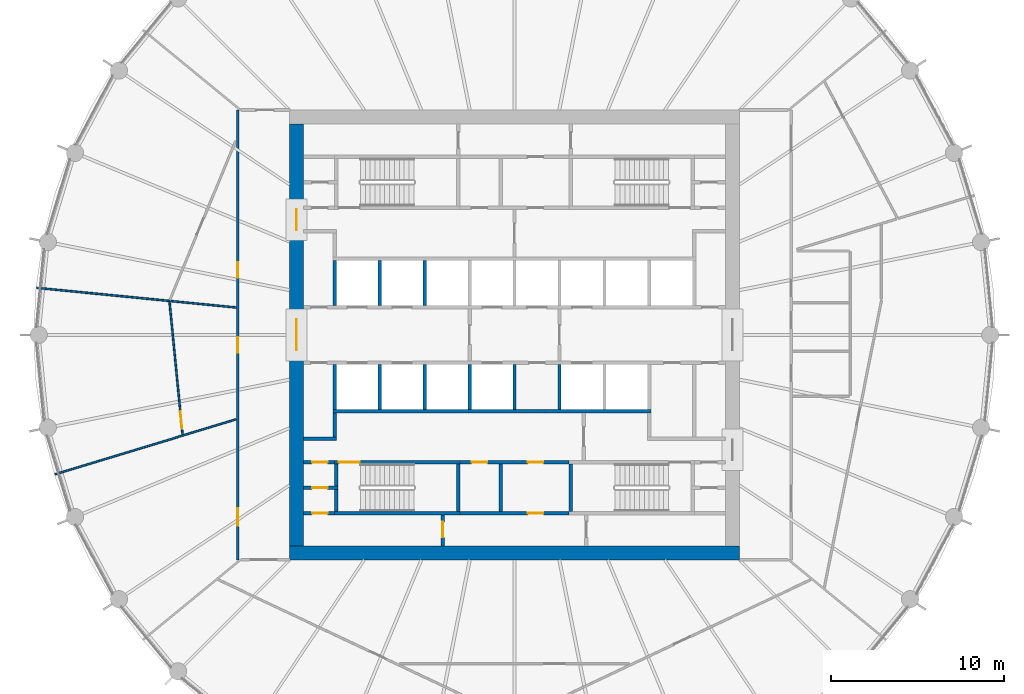
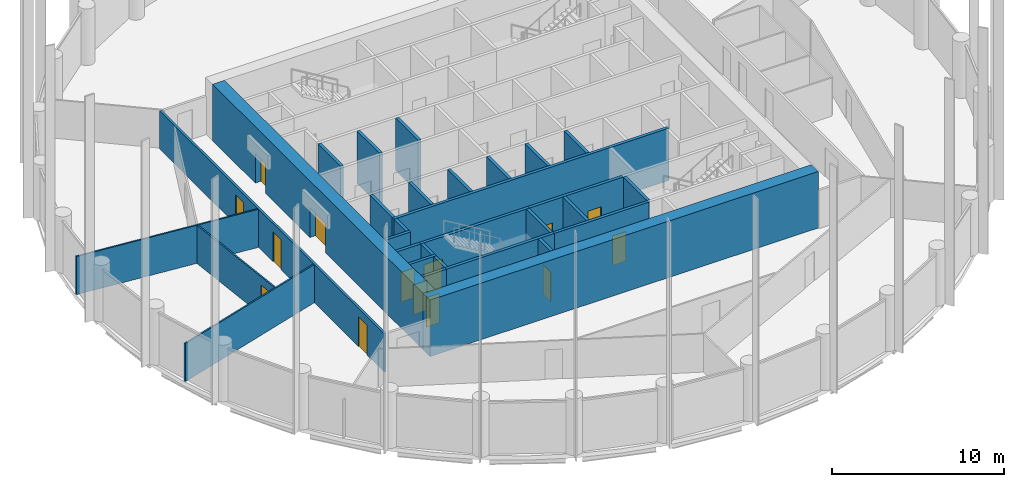
# One storey, part 4 of 9: 31 walls, 14 doors, 14 openings.
"""IFC4 building model written with IfcOpenShell, lengths in metres."""

from ifc_helpers import new_model, si_unit, direction, frame, frame_2d, origin, place, context, subcontext, project, spatial, polyline, rectangle, outline, extrude, material, layer, layer_set, type_object, element, fill, save


model = new_model("IFC4")

# Units and contexts
model_context = context("Model", 3, precision=1e-05, world=origin(), true_north=direction((0.0, 1.0)))
body_context = subcontext(model_context, "Body", "Model", "MODEL_VIEW")
ifc_project = project(units=[si_unit("LENGTHUNIT", "METRE"), si_unit("AREAUNIT", "SQUARE_METRE"), si_unit("VOLUMEUNIT", "CUBIC_METRE"), si_unit("PLANEANGLEUNIT", "RADIAN"), si_unit("MASSUNIT", "GRAM", prefix="KILO")], contexts=[model_context])

# Site, building, storey
site_placement = place(None, origin())
site = spatial("IfcSite", under=ifc_project, at=site_placement, CompositionType="ELEMENT")
building_placement = place(site_placement, origin())
building = spatial("IfcBuilding", under=site, at=building_placement, Name="Corvane Civic Tower", CompositionType="ELEMENT")
storey_placement = place(building_placement, frame((0.0, 0.0, 217.5)))
storey = spatial("IfcBuildingStorey", under=building, at=storey_placement, Name="L51", CompositionType="ELEMENT", Elevation=217.5)

# Wall
ifc_material_1 = material(Name="Concrete C50/60", Category="concrete")
ifc_layer_1 = layer(ifc_material_1, 0.800048828125)
ifc_layer_set_1 = layer_set([ifc_layer_1], Name="Concrete C50/60")
wall_type_1 = type_object("IfcWallType", Name="CORE WALL 800 C50/60", PredefinedType="SHEAR", material=ifc_layer_set_1)
wall_1_placement = place(storey_placement, frame((-13.0, -12.60009765625, 0.0), z_axis=(0.0, 0.0, 1.0), x_axis=(1.0, 0.0, 0.0)))
element("IfcWall", 1, at=wall_1_placement, inside=storey, type_object=wall_type_1, Name="W-L51-core-S", PredefinedType="SHEAR", context=body_context, shape_type="SweptSolid", body=[
    extrude(rectangle(XDim=26.0, YDim=0.800048828125, at=frame_2d((13.0, 0.0))), origin(), (0.0, 0.0, 1.0), 4.0),
])

# Wall, openings, doors
wall_2_placement = place(storey_placement, frame((-12.60009765625, -12.199951171875, 0.0), z_axis=(0.0, 0.0, 1.0), x_axis=(0.0, 1.0, 0.0)))
wall_2 = element("IfcWall", 2, at=wall_2_placement, inside=storey, type_object=wall_type_1, Name="W-L51-core-W", PredefinedType="SHEAR", context=body_context, shape_type="SweptSolid", body=[
    extrude(rectangle(XDim=24.39990234375, YDim=0.800048828125, at=frame_2d((12.199951171875, 0.0))), origin(), (0.0, 0.0, 1.0), 4.0),
])
opening_1_placement = place(wall_2_placement, frame((11.300048828125, 0.0, 0.0)))
opening_1 = element("IfcOpeningElement", 3, at=opening_1_placement, cuts=wall_2, Name="Opening L51.C34", PredefinedType="OPENING", context=body_context, shape_type="SweptSolid", body=[
    extrude(rectangle(XDim=1.800048828125, YDim=2.10009765625, at=frame_2d((0.89990234375, 1.050048828125))), frame((0.0, 0.409912109375, 0.0), z_axis=(0.0, -1.0, 0.0), x_axis=(1.0, 0.0, 0.0)), (0.0, 0.0, 1.0), 0.820068359375),
])
opening_2_placement = place(wall_2_placement, frame((18.25, 0.0, 0.0)))
opening_2 = element("IfcOpeningElement", 4, at=opening_2_placement, cuts=wall_2, Name="Opening L51.C36", PredefinedType="OPENING", context=body_context, shape_type="SweptSolid", body=[
    extrude(rectangle(XDim=1.199951171875, YDim=2.10009765625, at=frame_2d((0.60009765625, 1.050048828125))), frame((0.0, 0.409912109375, 0.0), z_axis=(0.0, -1.0, 0.0), x_axis=(1.0, 0.0, 0.0)), (0.0, 0.0, 1.0), 0.820068359375),
])
ifc_material_2 = material(Name="Steel fire door leaf", Category="steel")
door_type_1 = type_object("IfcDoorType", Name="CR-DOOR-CORE-1800", OperationType="DOUBLE_DOOR_SINGLE_SWING", PredefinedType="DOOR", material=ifc_material_2)
door_1_placement = place(opening_1_placement, origin())
door_1 = element("IfcDoor", 5, at=door_1_placement, inside=storey, type_object=door_type_1, Name="L51 door", OperationType="DOUBLE_DOOR_SINGLE_SWING", OverallHeight=2.10009765625, OverallWidth=1.800048828125, PredefinedType="DOOR", context=body_context, shape_type="SweptSolid", body=[
    extrude(rectangle(XDim=1.800048828125, YDim=2.10009765625, at=frame_2d((0.89990234375, 1.050048828125))), frame((0.0, 0.02490234375, 0.0), z_axis=(0.0, -1.0, 0.0), x_axis=(1.0, 0.0, 0.0)), (0.0, 0.0, 1.0), 0.050048828125),
])
fill(opening_1, door_1)
door_2_placement = place(opening_2_placement, origin())
door_2 = element("IfcDoor", 6, at=door_2_placement, inside=storey, type_object=door_type_1, Name="L51 door", OperationType="DOUBLE_DOOR_SINGLE_SWING", OverallHeight=2.10009765625, OverallWidth=1.199951171875, PredefinedType="DOOR", context=body_context, shape_type="SweptSolid", body=[
    extrude(rectangle(XDim=1.199951171875, YDim=2.10009765625, at=frame_2d((0.60009765625, 1.050048828125))), frame((0.0, 0.02490234375, 0.0), z_axis=(0.0, -1.0, 0.0), x_axis=(1.0, 0.0, 0.0)), (0.0, 0.0, 1.0), 0.050048828125),
])
fill(opening_2, door_2)

# Wall, opening, door
ifc_material_3 = material(Name="Concrete C30/37", Category="concrete")
ifc_layer_2 = layer(ifc_material_3, 0.199951171875)
ifc_layer_set_2 = layer_set([ifc_layer_2], Name="Concrete C30/37")
wall_type_2 = type_object("IfcWallType", Name="CR-WALL-200", PredefinedType="PARTITIONING", material=ifc_layer_set_2)
wall_3_placement = place(storey_placement, frame((-12.199951171875, -10.300048828125, 0.0), z_axis=(0.0, 0.0, 1.0), x_axis=(1.0, 0.0, 0.0)))
wall_3 = element("IfcWall", 7, at=wall_3_placement, inside=storey, type_object=wall_type_2, Name="L51 partition wall", PredefinedType="PARTITIONING", context=body_context, shape_type="SweptSolid", body=[
    extrude(rectangle(XDim=1.800048828125, YDim=0.199951171875, at=frame_2d((0.89990234375, 0.0))), origin(), (0.0, 0.0, 1.0), 3.699951171875),
])
opening_3_placement = place(wall_3_placement, frame((0.5, 0.0, 0.0)))
opening_3 = element("IfcOpeningElement", 8, at=opening_3_placement, cuts=wall_3, Name="Opening L51.C21", PredefinedType="OPENING", context=body_context, shape_type="SweptSolid", body=[
    extrude(rectangle(XDim=0.89990234375, YDim=2.10009765625, at=frame_2d((0.449951171875, 1.050048828125))), frame((0.0, 0.10986328125, 0.0), z_axis=(0.0, -1.0, 0.0), x_axis=(1.0, 0.0, 0.0)), (0.0, 0.0, 1.0), 0.219970703125),
])
ifc_material_4 = material(Name="Steel fire door leaf", Category="steel")
door_type_2 = type_object("IfcDoorType", Name="CR-DOOR-900", OperationType="SINGLE_SWING_LEFT", PredefinedType="DOOR", material=ifc_material_4)
door_3_placement = place(opening_3_placement, origin())
door_3 = element("IfcDoor", 9, at=door_3_placement, inside=storey, type_object=door_type_2, Name="L51 door", OperationType="SINGLE_SWING_LEFT", OverallHeight=2.10009765625, OverallWidth=0.89990234375, PredefinedType="DOOR", context=body_context, shape_type="SweptSolid", body=[
    extrude(rectangle(XDim=0.89990234375, YDim=2.10009765625, at=frame_2d((0.449951171875, 1.050048828125))), frame((0.0, 0.02490234375, 0.0), z_axis=(0.0, -1.0, 0.0), x_axis=(1.0, 0.0, 0.0)), (0.0, 0.0, 1.0), 0.050048828125),
])
fill(opening_3, door_3)

wall_4_placement = place(storey_placement, frame((-3.14990234375, -10.300048828125, 0.0), z_axis=(0.0, 0.0, 1.0), x_axis=(1.0, 0.0, 0.0)))
wall_4 = element("IfcWall", 10, at=wall_4_placement, inside=storey, type_object=wall_type_2, Name="L51 partition wall", PredefinedType="PARTITIONING", context=body_context, shape_type="SweptSolid", body=[
    extrude(rectangle(XDim=6.2998046875, YDim=0.199951171875, at=frame_2d((3.14990234375, 0.0))), origin(), (0.0, 0.0, 1.0), 3.699951171875),
])
opening_4_placement = place(wall_4_placement, frame((3.925048828125, 0.0, 0.0)))
opening_4 = element("IfcOpeningElement", 11, at=opening_4_placement, cuts=wall_4, Name="Opening L51.C15", PredefinedType="OPENING", context=body_context, shape_type="SweptSolid", body=[
    extrude(rectangle(XDim=0.89990234375, YDim=2.10009765625, at=frame_2d((0.449951171875, 1.050048828125))), frame((0.0, 0.10986328125, 0.0), z_axis=(0.0, -1.0, 0.0), x_axis=(1.0, 0.0, 0.0)), (0.0, 0.0, 1.0), 0.219970703125),
])
door_4_placement = place(opening_4_placement, origin())
door_4 = element("IfcDoor", 12, at=door_4_placement, inside=storey, type_object=door_type_2, Name="L51 door", OperationType="SINGLE_SWING_LEFT", OverallHeight=2.10009765625, OverallWidth=0.89990234375, PredefinedType="DOOR", context=body_context, shape_type="SweptSolid", body=[
    extrude(rectangle(XDim=0.89990234375, YDim=2.10009765625, at=frame_2d((0.449951171875, 1.050048828125))), frame((0.0, 0.02490234375, 0.0), z_axis=(0.0, -1.0, 0.0), x_axis=(1.0, 0.0, 0.0)), (0.0, 0.0, 1.0), 0.050048828125),
])
fill(opening_4, door_4)

wall_5_placement = place(storey_placement, frame((-12.199951171875, -8.824951171875, 0.0), z_axis=(0.0, 0.0, 1.0), x_axis=(1.0, 0.0, 0.0)))
wall_5 = element("IfcWall", 13, at=wall_5_placement, inside=storey, type_object=wall_type_2, Name="L51 partition wall", PredefinedType="PARTITIONING", context=body_context, shape_type="SweptSolid", body=[
    extrude(rectangle(XDim=2.0, YDim=0.199951171875, at=frame_2d((1.0, 0.0))), origin(), (0.0, 0.0, 1.0), 3.699951171875),
])
opening_5_placement = place(wall_5_placement, frame((0.5, 0.0, 0.0)))
opening_5 = element("IfcOpeningElement", 14, at=opening_5_placement, cuts=wall_5, Name="Opening L51.C20", PredefinedType="OPENING", context=body_context, shape_type="SweptSolid", body=[
    extrude(rectangle(XDim=0.89990234375, YDim=2.10009765625, at=frame_2d((0.449951171875, 1.050048828125))), frame((0.0, 0.10986328125, 0.0), z_axis=(0.0, -1.0, 0.0), x_axis=(1.0, 0.0, 0.0)), (0.0, 0.0, 1.0), 0.219970703125),
])
door_5_placement = place(opening_5_placement, origin())
door_5 = element("IfcDoor", 15, at=door_5_placement, inside=storey, type_object=door_type_2, Name="L51 door", OperationType="SINGLE_SWING_LEFT", OverallHeight=2.10009765625, OverallWidth=0.89990234375, PredefinedType="DOOR", context=body_context, shape_type="SweptSolid", body=[
    extrude(rectangle(XDim=0.89990234375, YDim=2.10009765625, at=frame_2d((0.449951171875, 1.050048828125))), frame((0.0, 0.02490234375, 0.0), z_axis=(0.0, -1.0, 0.0), x_axis=(1.0, 0.0, 0.0)), (0.0, 0.0, 1.0), 0.050048828125),
])
fill(opening_5, door_5)

wall_6_placement = place(storey_placement, frame((-12.199951171875, -7.35009765625, 0.0), z_axis=(0.0, 0.0, 1.0), x_axis=(1.0, 0.0, 0.0)))
wall_6 = element("IfcWall", 16, at=wall_6_placement, inside=storey, type_object=wall_type_2, Name="L51 core partition wall", PredefinedType="PARTITIONING", context=body_context, shape_type="SweptSolid", body=[
    extrude(rectangle(XDim=1.800048828125, YDim=0.199951171875, at=frame_2d((0.89990234375, 0.0))), origin(), (0.0, 0.0, 1.0), 3.699951171875),
])
opening_6_placement = place(wall_6_placement, frame((0.5, 0.0, 0.0)))
opening_6 = element("IfcOpeningElement", 17, at=opening_6_placement, cuts=wall_6, Name="Opening L51.C19", PredefinedType="OPENING", context=body_context, shape_type="SweptSolid", body=[
    extrude(rectangle(XDim=0.89990234375, YDim=2.10009765625, at=frame_2d((0.449951171875, 1.050048828125))), frame((0.0, 0.10986328125, 0.0), z_axis=(0.0, -1.0, 0.0), x_axis=(1.0, 0.0, 0.0)), (0.0, 0.0, 1.0), 0.219970703125),
])
door_6_placement = place(opening_6_placement, origin())
door_6 = element("IfcDoor", 18, at=door_6_placement, inside=storey, type_object=door_type_2, Name="L51 door", OperationType="SINGLE_SWING_LEFT", OverallHeight=2.10009765625, OverallWidth=0.89990234375, PredefinedType="DOOR", context=body_context, shape_type="SweptSolid", body=[
    extrude(rectangle(XDim=0.89990234375, YDim=2.10009765625, at=frame_2d((0.449951171875, 1.050048828125))), frame((0.0, 0.02490234375, 0.0), z_axis=(0.0, -1.0, 0.0), x_axis=(1.0, 0.0, 0.0)), (0.0, 0.0, 1.0), 0.050048828125),
])
fill(opening_6, door_6)

# Wall, openings, doors
wall_7_placement = place(storey_placement, frame((-3.14990234375, -7.35009765625, 0.0), z_axis=(0.0, 0.0, 1.0), x_axis=(1.0, 0.0, 0.0)))
wall_7 = element("IfcWall", 19, at=wall_7_placement, inside=storey, type_object=wall_type_2, Name="L51 core partition wall", PredefinedType="PARTITIONING", context=body_context, shape_type="SweptSolid", body=[
    extrude(rectangle(XDim=6.2998046875, YDim=0.199951171875, at=frame_2d((3.14990234375, 0.0))), origin(), (0.0, 0.0, 1.0), 3.699951171875),
])
opening_7_placement = place(wall_7_placement, frame((0.675048828125, 0.0, 0.0)))
opening_7 = element("IfcOpeningElement", 20, at=opening_7_placement, cuts=wall_7, Name="Opening L51.C09", PredefinedType="OPENING", context=body_context, shape_type="SweptSolid", body=[
    extrude(rectangle(XDim=0.89990234375, YDim=2.10009765625, at=frame_2d((0.449951171875, 1.050048828125))), frame((0.0, 0.10986328125, 0.0), z_axis=(0.0, -1.0, 0.0), x_axis=(1.0, 0.0, 0.0)), (0.0, 0.0, 1.0), 0.219970703125),
])
opening_8_placement = place(wall_7_placement, frame((3.925048828125, 0.0, 0.0)))
opening_8 = element("IfcOpeningElement", 21, at=opening_8_placement, cuts=wall_7, Name="Opening L51.C10", PredefinedType="OPENING", context=body_context, shape_type="SweptSolid", body=[
    extrude(rectangle(XDim=0.89990234375, YDim=2.10009765625, at=frame_2d((0.449951171875, 1.050048828125))), frame((0.0, 0.10986328125, 0.0), z_axis=(0.0, -1.0, 0.0), x_axis=(1.0, 0.0, 0.0)), (0.0, 0.0, 1.0), 0.219970703125),
])
door_7_placement = place(opening_7_placement, origin())
door_7 = element("IfcDoor", 22, at=door_7_placement, inside=storey, type_object=door_type_2, Name="L51 door", OperationType="SINGLE_SWING_LEFT", OverallHeight=2.10009765625, OverallWidth=0.89990234375, PredefinedType="DOOR", context=body_context, shape_type="SweptSolid", body=[
    extrude(rectangle(XDim=0.89990234375, YDim=2.10009765625, at=frame_2d((0.449951171875, 1.050048828125))), frame((0.0, 0.02490234375, 0.0), z_axis=(0.0, -1.0, 0.0), x_axis=(1.0, 0.0, 0.0)), (0.0, 0.0, 1.0), 0.050048828125),
])
fill(opening_7, door_7)
door_8_placement = place(opening_8_placement, origin())
door_8 = element("IfcDoor", 23, at=door_8_placement, inside=storey, type_object=door_type_2, Name="L51 door", OperationType="SINGLE_SWING_LEFT", OverallHeight=2.10009765625, OverallWidth=0.89990234375, PredefinedType="DOOR", context=body_context, shape_type="SweptSolid", body=[
    extrude(rectangle(XDim=0.89990234375, YDim=2.10009765625, at=frame_2d((0.449951171875, 1.050048828125))), frame((0.0, 0.02490234375, 0.0), z_axis=(0.0, -1.0, 0.0), x_axis=(1.0, 0.0, 0.0)), (0.0, 0.0, 1.0), 0.050048828125),
])
fill(opening_8, door_8)

# Wall, opening, door
wall_8_placement = place(storey_placement, frame((-4.14990234375, -12.199951171875, 0.0), z_axis=(0.0, 0.0, 1.0), x_axis=(0.0, 1.0, 0.0)))
wall_8 = element("IfcWall", 24, at=wall_8_placement, inside=storey, type_object=wall_type_2, Name="L51 partition wall", PredefinedType="PARTITIONING", context=body_context, shape_type="SweptSolid", body=[
    extrude(rectangle(XDim=1.800048828125, YDim=0.199951171875, at=frame_2d((0.89990234375, 0.0))), origin(), (0.0, 0.0, 1.0), 3.699951171875),
])
opening_9_placement = place(wall_8_placement, frame((0.5, 0.0, 0.0)))
opening_9 = element("IfcOpeningElement", 25, at=opening_9_placement, cuts=wall_8, Name="Opening L51.C14", PredefinedType="OPENING", context=body_context, shape_type="SweptSolid", body=[
    extrude(rectangle(XDim=0.89990234375, YDim=2.10009765625, at=frame_2d((0.449951171875, 1.050048828125))), frame((0.0, 0.10986328125, 0.0), z_axis=(0.0, -1.0, 0.0), x_axis=(1.0, 0.0, 0.0)), (0.0, 0.0, 1.0), 0.219970703125),
])
door_9_placement = place(opening_9_placement, origin())
door_9 = element("IfcDoor", 26, at=door_9_placement, inside=storey, type_object=door_type_2, Name="L51 door", OperationType="SINGLE_SWING_LEFT", OverallHeight=2.10009765625, OverallWidth=0.89990234375, PredefinedType="DOOR", context=body_context, shape_type="SweptSolid", body=[
    extrude(rectangle(XDim=0.89990234375, YDim=2.10009765625, at=frame_2d((0.449951171875, 1.050048828125))), frame((0.0, 0.02490234375, 0.0), z_axis=(0.0, -1.0, 0.0), x_axis=(1.0, 0.0, 0.0)), (0.0, 0.0, 1.0), 0.050048828125),
])
fill(opening_9, door_9)

# Walls
wall_9_placement = place(storey_placement, origin())
element("IfcWall", 27, at=wall_9_placement, inside=storey, type_object=wall_type_2, Name="L51 core partition wall", PredefinedType="PARTITIONING", context=body_context, shape_type="SweptSolid", body=[
    extrude(outline(polyline([(7.89990234375, -4.300048828125), (7.89990234375, -4.5), (-10.5, -4.5), (-10.5, -4.300048828125), (7.89990234375, -4.300048828125)])), origin(), (0.0, 0.0, 1.0), 3.699951171875),
])
wall_10_placement = place(storey_placement, origin())
element("IfcWall", 28, at=wall_10_placement, inside=storey, type_object=wall_type_2, Name="L51 core partition wall", PredefinedType="PARTITIONING", context=body_context, shape_type="SweptSolid", body=[
    extrude(outline(polyline([(-2.5, -1.699951171875), (-2.5, -4.2998046875), (-2.699951171875, -4.2998046875), (-2.699951171875, -1.699951171875), (-2.5, -1.699951171875)])), origin(), (0.0, 0.0, 1.0), 3.699951171875),
])
wall_11_placement = place(storey_placement, origin())
element("IfcWall", 29, at=wall_11_placement, inside=storey, type_object=wall_type_2, Name="L51 core partition wall", PredefinedType="PARTITIONING", context=body_context, shape_type="SweptSolid", body=[
    extrude(outline(polyline([(2.699951171875, -1.699951171875), (2.699951171875, -4.2998046875), (2.5, -4.2998046875), (2.5, -1.699951171875), (2.699951171875, -1.699951171875)])), origin(), (0.0, 0.0, 1.0), 3.699951171875),
])
wall_12_placement = place(storey_placement, origin())
element("IfcWall", 30, at=wall_12_placement, inside=storey, type_object=wall_type_2, Name="L51 core partition wall", PredefinedType="PARTITIONING", context=body_context, shape_type="SweptSolid", body=[
    extrude(outline(polyline([(0.10009765625, -1.699951171875), (0.10009765625, -4.2998046875), (-0.10009765625, -4.2998046875), (-0.10009765625, -1.699951171875), (0.10009765625, -1.699951171875)])), origin(), (0.0, 0.0, 1.0), 3.699951171875),
])
wall_13_placement = place(storey_placement, origin())
element("IfcWall", 31, at=wall_13_placement, inside=storey, type_object=wall_type_2, Name="L51 core partition wall", PredefinedType="PARTITIONING", context=body_context, shape_type="SweptSolid", body=[
    extrude(outline(polyline([(-10.300048828125, -1.699951171875), (-10.300048828125, -4.2998046875), (-10.5, -4.2998046875), (-10.5, -1.699951171875), (-10.300048828125, -1.699951171875)])), origin(), (0.0, 0.0, 1.0), 3.699951171875),
])
wall_14_placement = place(storey_placement, origin())
element("IfcWall", 32, at=wall_14_placement, inside=storey, type_object=wall_type_2, Name="L51 core partition wall", PredefinedType="PARTITIONING", context=body_context, shape_type="SweptSolid", body=[
    extrude(outline(polyline([(-7.699951171875, -1.699951171875), (-7.699951171875, -4.2998046875), (-7.89990234375, -4.2998046875), (-7.89990234375, -1.699951171875), (-7.699951171875, -1.699951171875)])), origin(), (0.0, 0.0, 1.0), 3.699951171875),
])
wall_15_placement = place(storey_placement, origin())
element("IfcWall", 33, at=wall_15_placement, inside=storey, type_object=wall_type_2, Name="L51 core partition wall", PredefinedType="PARTITIONING", context=body_context, shape_type="SweptSolid", body=[
    extrude(outline(polyline([(-5.10009765625, -1.699951171875), (-5.10009765625, -4.2998046875), (-5.300048828125, -4.2998046875), (-5.300048828125, -1.699951171875), (-5.10009765625, -1.699951171875)])), origin(), (0.0, 0.0, 1.0), 3.699951171875),
])
wall_16_placement = place(storey_placement, origin())
element("IfcWall", 34, at=wall_16_placement, inside=storey, type_object=wall_type_2, Name="L51 core partition wall", PredefinedType="PARTITIONING", context=body_context, shape_type="SweptSolid", body=[
    extrude(outline(polyline([(-10.300048828125, -6.10009765625), (-12.199951171875, -6.10009765625), (-12.199951171875, -5.89990234375), (-10.300048828125, -5.89990234375), (-10.300048828125, -6.10009765625)])), origin(), (0.0, 0.0, 1.0), 3.699951171875),
])
wall_17_placement = place(storey_placement, origin())
element("IfcWall", 35, at=wall_17_placement, inside=storey, type_object=wall_type_2, Name="L51 core partition wall", PredefinedType="PARTITIONING", context=body_context, shape_type="SweptSolid", body=[
    extrude(outline(polyline([(-10.300048828125, -5.89990234375), (-10.5, -5.89990234375), (-10.5, -4.5), (-10.300048828125, -4.5), (-10.300048828125, -5.89990234375)])), origin(), (0.0, 0.0, 1.0), 3.699951171875),
])
wall_18_placement = place(storey_placement, origin())
element("IfcWall", 36, at=wall_18_placement, inside=storey, type_object=wall_type_2, Name="L51 core partition wall", PredefinedType="PARTITIONING", context=body_context, shape_type="SweptSolid", body=[
    extrude(outline(polyline([(-10.300048828125, 1.699951171875), (-10.5, 1.699951171875), (-10.5, 4.2998046875), (-10.300048828125, 4.2998046875), (-10.300048828125, 1.699951171875)])), origin(), (0.0, 0.0, 1.0), 3.699951171875),
])
wall_19_placement = place(storey_placement, origin())
element("IfcWall", 37, at=wall_19_placement, inside=storey, type_object=wall_type_2, Name="L51 core partition wall", PredefinedType="PARTITIONING", context=body_context, shape_type="SweptSolid", body=[
    extrude(outline(polyline([(-7.699951171875, 1.699951171875), (-7.89990234375, 1.699951171875), (-7.89990234375, 4.2998046875), (-7.699951171875, 4.2998046875), (-7.699951171875, 1.699951171875)])), origin(), (0.0, 0.0, 1.0), 3.699951171875),
])
wall_20_placement = place(storey_placement, origin())
element("IfcWall", 38, at=wall_20_placement, inside=storey, type_object=wall_type_2, Name="L51 core partition wall", PredefinedType="PARTITIONING", context=body_context, shape_type="SweptSolid", body=[
    extrude(outline(polyline([(-5.10009765625, 1.699951171875), (-5.300048828125, 1.699951171875), (-5.300048828125, 4.2998046875), (-5.10009765625, 4.2998046875), (-5.10009765625, 1.699951171875)])), origin(), (0.0, 0.0, 1.0), 3.699951171875),
])
wall_21_placement = place(storey_placement, origin())
element("IfcWall", 39, at=wall_21_placement, inside=storey, type_object=wall_type_2, Name="L51 core partition wall", PredefinedType="PARTITIONING", context=body_context, shape_type="SweptSolid", body=[
    extrude(outline(polyline([(-0.699951171875, -10.199951171875), (-0.89990234375, -10.199951171875), (-0.89990234375, -7.449951171875), (-0.699951171875, -7.449951171875), (-0.699951171875, -10.199951171875)])), origin(), (0.0, 0.0, 1.0), 3.699951171875),
])
ifc_material_5 = material(Name="Plasterboard")
ifc_layer_3 = layer(ifc_material_5, 0.10009765625)
ifc_layer_set_3 = layer_set([ifc_layer_3], Name="Plasterboard")
wall_type_3 = type_object("IfcWallType", Name="Partition 100 plasterboard on studs", PredefinedType="PARTITIONING", material=ifc_layer_set_3)
wall_22_placement = place(storey_placement, frame((-26.555419921875, -8.055419921875, 0.0), z_axis=(0.0, 0.0, 1.0), x_axis=(0.956939502521, 0.290287423971, 0.0)))
element("IfcWall", 40, at=wall_22_placement, inside=storey, type_object=wall_type_3, Name="Partition L51.012", PredefinedType="PARTITIONING", context=body_context, shape_type="SweptSolid", body=[
    extrude(rectangle(XDim=10.936767578125, YDim=0.10009765625, at=frame_2d((5.46826171875, 0.0))), origin(), (0.0, 0.0, 1.0), 2.699951171875),
])

# Wall, opening, door
wall_23_placement = place(storey_placement, frame((-19.9384765625, 1.90380859375, 0.0), z_axis=(0.0, 0.0, 1.0), x_axis=(0.097999495678, -0.995186464361, 0.0)))
wall_23 = element("IfcWall", 41, at=wall_23_placement, inside=storey, type_object=wall_type_3, Name="Partition L51.013", PredefinedType="PARTITIONING", context=body_context, shape_type="SweptSolid", body=[
    extrude(rectangle(XDim=7.697998046875, YDim=0.10009765625, at=frame_2d((3.84912109375, 0.0))), origin(), (0.0, 0.0, 1.0), 2.699951171875),
])
opening_10_placement = place(wall_23_placement, frame((6.359130859375, 0.0, 0.0)))
opening_10 = element("IfcOpeningElement", 42, at=opening_10_placement, cuts=wall_23, Name="Opening L51.014", PredefinedType="OPENING", context=body_context, shape_type="SweptSolid", body=[
    extrude(rectangle(XDim=1.0, YDim=2.10009765625, at=frame_2d((0.5, 1.050048828125))), frame((0.0, 0.06005859375, 0.0), z_axis=(0.0, -1.0, 0.0), x_axis=(1.0, 0.0, 0.0)), (0.0, 0.0, 1.0), 0.1201171875),
])
ifc_material_6 = material(Name="Timber", Category="wood")
door_type_3 = type_object("IfcDoorType", Name="Single door 1000", OperationType="NOTDEFINED", PredefinedType="DOOR", material=ifc_material_6)
door_10_placement = place(opening_10_placement, frame((1.0, 0.0, 0.0), z_axis=(0.0, 0.0, 1.0), x_axis=(-1.0, 0.0, 0.0)))
door_10 = element("IfcDoor", 43, at=door_10_placement, inside=storey, type_object=door_type_3, Name="Door L51.014", OperationType="SINGLE_SWING_LEFT", OverallHeight=2.10009765625, OverallWidth=1.0, PredefinedType="DOOR", context=body_context, shape_type="SweptSolid", body=[
    extrude(rectangle(XDim=1.0, YDim=2.10009765625, at=frame_2d((0.5, 1.050048828125))), frame((0.0, 0.02490234375, 0.0), z_axis=(0.0, -1.0, 0.0), x_axis=(1.0, 0.0, 0.0)), (0.0, 0.0, 1.0), 0.050048828125),
])
fill(opening_10, door_10)

# Wall
wall_24_placement = place(storey_placement, frame((-27.616455078125, 2.719970703125, 0.0), z_axis=(0.0, 0.0, 1.0), x_axis=(0.995184958345, -0.098014788084, 0.0)))
element("IfcWall", 44, at=wall_24_placement, inside=storey, type_object=wall_type_3, Name="Partition L51.017", PredefinedType="PARTITIONING", context=body_context, shape_type="SweptSolid", body=[
    extrude(rectangle(XDim=11.592529296875, YDim=0.10009765625, at=frame_2d((5.79638671875, 0.0))), origin(), (0.0, 0.0, 1.0), 2.699951171875),
])

# Wall, opening, door
ifc_material_7 = material(Name="Concrete C50/60", Category="concrete")
ifc_layer_4 = layer(ifc_material_7, 0.199951171875)
ifc_layer_set_4 = layer_set([ifc_layer_4], Name="Concrete C50/60")
wall_type_4 = type_object("IfcWallType", Name="ST-WALL-200", PredefinedType="SHEAR", material=ifc_layer_set_4)
wall_25_placement = place(storey_placement, frame((-10.39990234375, -7.35009765625, 0.0), z_axis=(0.0, 0.0, 1.0), x_axis=(1.0, 0.0, 0.0)))
wall_25 = element("IfcWall", 45, at=wall_25_placement, inside=storey, type_object=wall_type_4, Name="L51 stair enclosure wall", PredefinedType="SHEAR", context=body_context, shape_type="SweptSolid", body=[
    extrude(rectangle(XDim=7.25, YDim=0.199951171875, at=frame_2d((3.625, 0.0))), origin(), (0.0, 0.0, 1.0), 3.699951171875),
])
opening_11_placement = place(wall_25_placement, frame((0.25, 0.0, 0.0)))
opening_11 = element("IfcOpeningElement", 46, at=opening_11_placement, cuts=wall_25, Name="Opening L51.C29", PredefinedType="OPENING", context=body_context, shape_type="SweptSolid", body=[
    extrude(rectangle(XDim=1.199951171875, YDim=2.10009765625, at=frame_2d((0.60009765625, 1.050048828125))), frame((0.0, 0.10986328125, 0.0), z_axis=(0.0, -1.0, 0.0), x_axis=(1.0, 0.0, 0.0)), (0.0, 0.0, 1.0), 0.219970703125),
])
ifc_material_8 = material(Name="Steel fire door leaf", Category="steel")
door_type_4 = type_object("IfcDoorType", Name="ST-DOOR-1200", OperationType="SINGLE_SWING_RIGHT", PredefinedType="DOOR", material=ifc_material_8)
door_11_placement = place(opening_11_placement, origin())
door_11 = element("IfcDoor", 47, at=door_11_placement, inside=storey, type_object=door_type_4, Name="L51 stair door", OperationType="SINGLE_SWING_RIGHT", OverallHeight=2.10009765625, OverallWidth=1.199951171875, PredefinedType="DOOR", context=body_context, shape_type="SweptSolid", body=[
    extrude(rectangle(XDim=1.199951171875, YDim=2.10009765625, at=frame_2d((0.60009765625, 1.050048828125))), frame((0.0, 0.02490234375, 0.0), z_axis=(0.0, -1.0, 0.0), x_axis=(1.0, 0.0, 0.0)), (0.0, 0.0, 1.0), 0.050048828125),
])
fill(opening_11, door_11)

# Walls
wall_26_placement = place(storey_placement, origin())
element("IfcWall", 48, at=wall_26_placement, inside=storey, type_object=wall_type_4, Name="L51 stair enclosure wall", PredefinedType="SHEAR", context=body_context, shape_type="SweptSolid", body=[
    extrude(outline(polyline([(-3.14990234375, -10.199951171875), (-3.14990234375, -10.39990234375), (-10.39990234375, -10.39990234375), (-10.39990234375, -10.199951171875), (-3.14990234375, -10.199951171875)])), origin(), (0.0, 0.0, 1.0), 3.699951171875),
])
wall_27_placement = place(storey_placement, origin())
element("IfcWall", 49, at=wall_27_placement, inside=storey, type_object=wall_type_4, Name="L51 stair enclosure wall", PredefinedType="SHEAR", context=body_context, shape_type="SweptSolid", body=[
    extrude(outline(polyline([(-3.14990234375, -7.449951171875), (-3.14990234375, -10.199951171875), (-3.35009765625, -10.199951171875), (-3.35009765625, -7.449951171875), (-3.14990234375, -7.449951171875)])), origin(), (0.0, 0.0, 1.0), 3.699951171875),
])
wall_28_placement = place(storey_placement, origin())
element("IfcWall", 50, at=wall_28_placement, inside=storey, type_object=wall_type_4, Name="L51 stair enclosure wall", PredefinedType="SHEAR", context=body_context, shape_type="SweptSolid", body=[
    extrude(outline(polyline([(3.35009765625, -7.449951171875), (3.35009765625, -10.199951171875), (3.14990234375, -10.199951171875), (3.14990234375, -7.449951171875), (3.35009765625, -7.449951171875)])), origin(), (0.0, 0.0, 1.0), 3.699951171875),
])
wall_29_placement = place(storey_placement, origin())
element("IfcWall", 51, at=wall_29_placement, inside=storey, type_object=wall_type_4, Name="L51 stair enclosure wall", PredefinedType="SHEAR", context=body_context, shape_type="SweptSolid", body=[
    extrude(outline(polyline([(-10.199951171875, -7.449951171875), (-10.199951171875, -8.72509765625), (-10.39990234375, -8.72509765625), (-10.39990234375, -7.449951171875), (-10.199951171875, -7.449951171875)])), origin(), (0.0, 0.0, 1.0), 3.699951171875),
])
wall_30_placement = place(storey_placement, origin())
element("IfcWall", 52, at=wall_30_placement, inside=storey, type_object=wall_type_4, Name="L51 stair enclosure wall", PredefinedType="SHEAR", context=body_context, shape_type="SweptSolid", body=[
    extrude(outline(polyline([(-10.199951171875, -8.925048828125), (-10.199951171875, -10.199951171875), (-10.39990234375, -10.199951171875), (-10.39990234375, -8.925048828125), (-10.199951171875, -8.925048828125)])), origin(), (0.0, 0.0, 1.0), 3.699951171875),
])

# Wall, openings, doors
ifc_material_9 = material(Name="Plasterboard")
ifc_layer_5 = layer(ifc_material_9, 0.14990234375)
ifc_layer_set_5 = layer_set([ifc_layer_5], Name="Plasterboard")
wall_type_5 = type_object("IfcWallType", Name="Tenancy wall 150 EI 60", PredefinedType="PARTITIONING", material=ifc_layer_set_5)
wall_31_placement = place(storey_placement, frame((-16.0, -13.0, 0.0), z_axis=(0.0, 0.0, 1.0), x_axis=(0.0, 1.0, 0.0)))
wall_31 = element("IfcWall", 53, at=wall_31_placement, inside=storey, type_object=wall_type_5, Name="Partition L51.008", PredefinedType="PARTITIONING", context=body_context, shape_type="SweptSolid", body=[
    extrude(rectangle(XDim=26.0, YDim=0.14990234375, at=frame_2d((13.0, 0.0))), origin(), (0.0, 0.0, 1.0), 2.699951171875),
])
opening_12_placement = place(wall_31_placement, frame((1.971923828125, 0.0, 0.0)))
opening_12 = element("IfcOpeningElement", 54, at=opening_12_placement, cuts=wall_31, Name="Opening L51.013", PredefinedType="OPENING", context=body_context, shape_type="SweptSolid", body=[
    extrude(rectangle(XDim=1.0, YDim=2.10009765625, at=frame_2d((0.5, 1.050048828125))), frame((0.0, 0.0849609375, 0.0), z_axis=(0.0, -1.0, 0.0), x_axis=(1.0, 0.0, 0.0)), (0.0, 0.0, 1.0), 0.169921875),
])
opening_13_placement = place(wall_31_placement, frame((11.96533203125, 0.0, 0.0)))
opening_13 = element("IfcOpeningElement", 55, at=opening_13_placement, cuts=wall_31, Name="Opening L51.015", PredefinedType="OPENING", context=body_context, shape_type="SweptSolid", body=[
    extrude(rectangle(XDim=0.89990234375, YDim=2.10009765625, at=frame_2d((0.449951171875, 1.050048828125))), frame((0.0, 0.0849609375, 0.0), z_axis=(0.0, -1.0, 0.0), x_axis=(1.0, 0.0, 0.0)), (0.0, 0.0, 1.0), 0.169921875),
])
opening_14_placement = place(wall_31_placement, frame((16.306640625, 0.0, 0.0)))
opening_14 = element("IfcOpeningElement", 56, at=opening_14_placement, cuts=wall_31, Name="Opening L51.017", PredefinedType="OPENING", context=body_context, shape_type="SweptSolid", body=[
    extrude(rectangle(XDim=0.89990234375, YDim=2.10009765625, at=frame_2d((0.449951171875, 1.050048828125))), frame((0.0, 0.0849609375, 0.0), z_axis=(0.0, -1.0, 0.0), x_axis=(1.0, 0.0, 0.0)), (0.0, 0.0, 1.0), 0.169921875),
])
ifc_material_10 = material(Name="Steel and timber", Category="steel")
door_type_5 = type_object("IfcDoorType", Name="Fire door FD30S 1000", OperationType="NOTDEFINED", PredefinedType="DOOR", material=ifc_material_10)
door_12_placement = place(opening_12_placement, origin())
door_12 = element("IfcDoor", 57, at=door_12_placement, inside=storey, type_object=door_type_5, Name="Door L51.013", OperationType="SINGLE_SWING_LEFT", OverallHeight=2.10009765625, OverallWidth=1.0, PredefinedType="DOOR", context=body_context, shape_type="SweptSolid", body=[
    extrude(rectangle(XDim=1.0, YDim=2.10009765625, at=frame_2d((0.5, 1.050048828125))), frame((0.0, 0.02490234375, 0.0), z_axis=(0.0, -1.0, 0.0), x_axis=(1.0, 0.0, 0.0)), (0.0, 0.0, 1.0), 0.050048828125),
])
fill(opening_12, door_12)
ifc_material_11 = material(Name="Steel and timber", Category="steel")
door_type_6 = type_object("IfcDoorType", Name="Fire door FD30S 900", OperationType="NOTDEFINED", PredefinedType="DOOR", material=ifc_material_11)
door_13_placement = place(opening_13_placement, origin())
door_13 = element("IfcDoor", 58, at=door_13_placement, inside=storey, type_object=door_type_6, Name="Door L51.015", OperationType="SINGLE_SWING_RIGHT", OverallHeight=2.10009765625, OverallWidth=0.89990234375, PredefinedType="DOOR", context=body_context, shape_type="SweptSolid", body=[
    extrude(rectangle(XDim=0.89990234375, YDim=2.10009765625, at=frame_2d((0.449951171875, 1.050048828125))), frame((0.0, 0.02490234375, 0.0), z_axis=(0.0, -1.0, 0.0), x_axis=(1.0, 0.0, 0.0)), (0.0, 0.0, 1.0), 0.050048828125),
])
fill(opening_13, door_13)
door_14_placement = place(opening_14_placement, origin())
door_14 = element("IfcDoor", 59, at=door_14_placement, inside=storey, type_object=door_type_6, Name="Door L51.017", OperationType="SINGLE_SWING_LEFT", OverallHeight=2.10009765625, OverallWidth=0.89990234375, PredefinedType="DOOR", context=body_context, shape_type="SweptSolid", body=[
    extrude(rectangle(XDim=0.89990234375, YDim=2.10009765625, at=frame_2d((0.449951171875, 1.050048828125))), frame((0.0, 0.02490234375, 0.0), z_axis=(0.0, -1.0, 0.0), x_axis=(1.0, 0.0, 0.0)), (0.0, 0.0, 1.0), 0.050048828125),
])
fill(opening_14, door_14)

save(model, "model.ifc")
